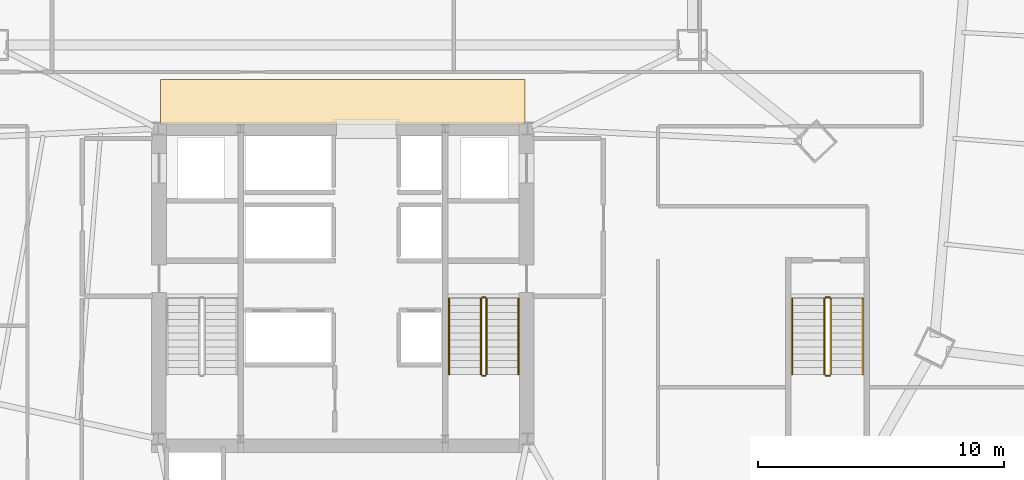
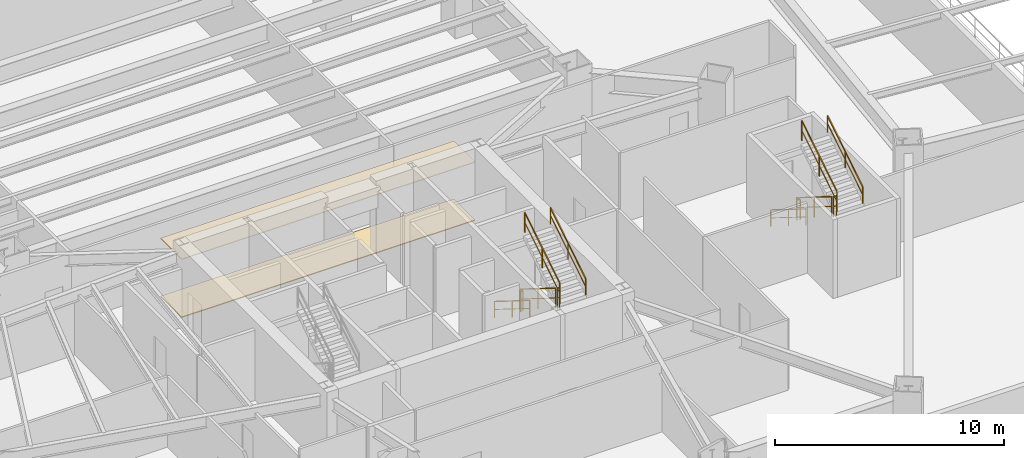
# One storey, part 11 of 12: 12 railings, 2 coverings.
"""IFC4 building model written with IfcOpenShell, lengths in metres."""

from ifc_helpers import new_model, si_unit, direction, frame, origin, origin_2d, place, context, subcontext, project, spatial, polyline, rectangle, outline, extrude, material, layer, layer_set, type_object, element, save


model = new_model("IFC4")

# Units and contexts
model_context = context("Model", 3, precision=1e-05, world=origin(), true_north=direction((0.0, 1.0)))
body_context = subcontext(model_context, "Body", "Model", "MODEL_VIEW")
ifc_project = project(units=[si_unit("LENGTHUNIT", "METRE"), si_unit("AREAUNIT", "SQUARE_METRE"), si_unit("VOLUMEUNIT", "CUBIC_METRE"), si_unit("PLANEANGLEUNIT", "RADIAN"), si_unit("MASSUNIT", "GRAM", prefix="KILO")], contexts=[model_context])

# Site, building, storey
site_placement = place(None, origin())
site = spatial("IfcSite", under=ifc_project, at=site_placement, CompositionType="ELEMENT")
building_placement = place(site_placement, origin())
building = spatial("IfcBuilding", under=site, at=building_placement, Name="Caelisora Broadcast Tower", CompositionType="ELEMENT")
storey_placement = place(building_placement, frame((0.0, 0.0, 18.89990234375)))
storey = spatial("IfcBuildingStorey", under=building, at=storey_placement, Name="L04", CompositionType="ELEMENT", Elevation=18.89990234375)

# Coverings
ifc_material_1 = material(Name="Perforated Mineral-Fibre Acoustic Ceiling Tile", Category="gypsum")
ifc_layer_1 = layer(ifc_material_1, 0.034912109375, Name="Perforated Mineral-Fibre Acoustic Ceiling Tile")
ifc_layer_set_1 = layer_set([ifc_layer_1], Name="Perforated Mineral-Fibre Acoustic Ceiling Tile")
covering_type_1 = type_object("IfcCoveringType", Name="CE-1", PredefinedType="CEILING", material=ifc_layer_set_1)
covering_1_placement = place(storey_placement, frame((0.0, 0.0, 3.10009765625)))
element("IfcCovering", 1, at=covering_1_placement, inside=storey, type_object=covering_type_1, Name="L04 acoustic corridor ceiling CE-1 (N)", PredefinedType="CEILING", context=body_context, shape_type="SweptSolid", body=[
    extrude(outline(polyline([(30.60009765625, 30.14990234375), (45.39990234375, 30.14990234375), (45.39990234375, 32.0), (30.60009765625, 32.0), (30.60009765625, 30.14990234375)])), origin(), (0.0, 0.0, 1.0), 0.034912109375),
])
ifc_material_2 = material(Name="Anti-Static Broadcast Raised Access Floor Panel", Category="steel")
ifc_layer_2 = layer(ifc_material_2, 0.044921875, Name="Anti-Static Broadcast Raised Access Floor Panel")
ifc_layer_set_2 = layer_set([ifc_layer_2], Name="Anti-Static Broadcast Raised Access Floor Panel")
covering_type_2 = type_object("IfcCoveringType", Name="FL-1", PredefinedType="FLOORING", material=ifc_layer_set_2)
covering_2_placement = place(storey_placement, origin())
element("IfcCovering", 2, at=covering_2_placement, inside=storey, type_object=covering_type_2, Name="L04 broadcast raised access floor FL-1 (N)", PredefinedType="FLOORING", context=body_context, shape_type="SweptSolid", body=[
    extrude(outline(polyline([(30.60009765625, 30.14990234375), (45.39990234375, 30.14990234375), (45.39990234375, 32.0), (30.60009765625, 32.0), (30.60009765625, 30.14990234375)])), origin(), (0.0, 0.0, 1.0), 0.045166015625),
])

# Railings
ifc_material_3 = material(Name="Galvanised Steel Safety Guardrail", Category="steel")
ifc_layer_3 = layer(ifc_material_3, 0.048095703125, Name="Galvanised Steel Safety Guardrail")
ifc_layer_set_3 = layer_set([ifc_layer_3], Name="Galvanised Steel Safety Guardrail")
railing_type_1 = type_object("IfcRailingType", Name="GR-1", PredefinedType="GUARDRAIL", material=ifc_layer_set_3)
railing_1_placement = place(storey_placement, frame((43.610107421875, 23.10009765625, 0.175048828125)))
element("IfcRailing", 3, at=railing_1_placement, inside=storey, type_object=railing_type_1, Name="L04 ST-2 stair guard 1", PredefinedType="GUARDRAIL", context=body_context, shape_type="SweptSolid", body=[
    extrude(rectangle(XDim=0.048095703125, YDim=0.048095703125, at=origin_2d()), frame((0.0, 0.0, 1.076171875), z_axis=(0.0, -0.847998304005, 0.529998940003), x_axis=(1.0, 0.0, 0.0)), (0.0, 0.0, 1.0), 3.632080078125),
    extrude(rectangle(XDim=0.03125, YDim=0.03125, at=origin_2d()), frame((0.0, 0.0, 0.550048828125), z_axis=(0.0, -0.847998304005, 0.529998940003), x_axis=(1.0, 0.0, 0.0)), (0.0, 0.0, 1.0), 3.632080078125),
    extrude(rectangle(XDim=0.0419921875, YDim=0.0419921875, at=origin_2d()), origin(), (0.0, 0.0, 1.0), 1.052001953125),
    extrude(rectangle(XDim=0.0419921875, YDim=0.0419921875, at=origin_2d()), frame((0.0, -1.5400390625, 0.96240234375)), (0.0, 0.0, 1.0), 1.052001953125),
    extrude(rectangle(XDim=0.0419921875, YDim=0.0419921875, at=origin_2d()), frame((0.0, -3.080078125, 1.925048828125)), (0.0, 0.0, 1.0), 1.052001953125),
])
railing_2_placement = place(storey_placement, frame((43.659912109375, 19.969970703125, 2.10009765625)))
element("IfcRailing", 4, at=railing_2_placement, inside=storey, type_object=railing_type_1, Name="L04 ST-2 stair guard 2", PredefinedType="GUARDRAIL", context=body_context, shape_type="SweptSolid", body=[
    extrude(rectangle(XDim=0.048095703125, YDim=0.048095703125, at=origin_2d()), frame((0.0, 0.0, 1.076171875), z_axis=(1.0, 0.0, 0.0), x_axis=(0.0, 1.0, 0.0)), (0.0, 0.0, 1.0), 0.1201171875),
    extrude(rectangle(XDim=0.03125, YDim=0.03125, at=origin_2d()), frame((0.0, 0.0, 0.550048828125), z_axis=(1.0, 0.0, 0.0), x_axis=(0.0, 1.0, 0.0)), (0.0, 0.0, 1.0), 0.1201171875),
    extrude(rectangle(XDim=0.0419921875, YDim=0.0419921875, at=origin_2d()), origin(), (0.0, 0.0, 1.0), 1.052001953125),
    extrude(rectangle(XDim=0.0419921875, YDim=0.0419921875, at=origin_2d()), frame((0.1201171875, 0.0, 0.0)), (0.0, 0.0, 1.0), 1.052001953125),
])
railing_3_placement = place(storey_placement, frame((43.830078125, 20.02001953125, 2.275146484375)))
element("IfcRailing", 5, at=railing_3_placement, inside=storey, type_object=railing_type_1, Name="L04 ST-2 stair guard 3", PredefinedType="GUARDRAIL", context=body_context, shape_type="SweptSolid", body=[
    extrude(rectangle(XDim=0.048095703125, YDim=0.048095703125, at=origin_2d()), frame((0.0, 0.0, 1.076171875), z_axis=(0.0, 0.847998304005, 0.529998940003), x_axis=(-1.0, 0.0, 0.0)), (0.0, 0.0, 1.0), 3.632080078125),
    extrude(rectangle(XDim=0.03125, YDim=0.03125, at=origin_2d()), frame((0.0, 0.0, 0.550048828125), z_axis=(0.0, 0.847998304005, 0.529998940003), x_axis=(-1.0, 0.0, 0.0)), (0.0, 0.0, 1.0), 3.632080078125),
    extrude(rectangle(XDim=0.0419921875, YDim=0.0419921875, at=origin_2d()), origin(), (0.0, 0.0, 1.0), 1.052001953125),
    extrude(rectangle(XDim=0.0419921875, YDim=0.0419921875, at=origin_2d()), frame((0.0, 1.5400390625, 0.96240234375)), (0.0, 0.0, 1.0), 1.052001953125),
    extrude(rectangle(XDim=0.0419921875, YDim=0.0419921875, at=origin_2d()), frame((0.0, 3.080078125, 1.925048828125)), (0.0, 0.0, 1.0), 1.052001953125),
])
railing_4_placement = place(storey_placement, frame((43.659912109375, 23.14990234375, 0.0)))
element("IfcRailing", 6, at=railing_4_placement, inside=storey, type_object=railing_type_1, Name="L04 ST-2 stair guard 4", PredefinedType="GUARDRAIL", context=body_context, shape_type="SweptSolid", body=[
    extrude(rectangle(XDim=0.048095703125, YDim=0.048095703125, at=origin_2d()), frame((0.0, 0.0, 1.076171875), z_axis=(1.0, 0.0, 0.0), x_axis=(0.0, 1.0, 0.0)), (0.0, 0.0, 1.0), 0.1201171875),
    extrude(rectangle(XDim=0.03125, YDim=0.03125, at=origin_2d()), frame((0.0, 0.0, 0.550048828125), z_axis=(1.0, 0.0, 0.0), x_axis=(0.0, 1.0, 0.0)), (0.0, 0.0, 1.0), 0.1201171875),
    extrude(rectangle(XDim=0.0419921875, YDim=0.0419921875, at=origin_2d()), origin(), (0.0, 0.0, 1.0), 1.052001953125),
    extrude(rectangle(XDim=0.0419921875, YDim=0.0419921875, at=origin_2d()), frame((0.1201171875, 0.0, 0.0)), (0.0, 0.0, 1.0), 1.052001953125),
])
railing_5_placement = place(storey_placement, frame((57.550048828125, 23.10009765625, 0.175048828125)))
element("IfcRailing", 7, at=railing_5_placement, inside=storey, type_object=railing_type_1, Name="L04 ST-3 stair guard 1", PredefinedType="GUARDRAIL", context=body_context, shape_type="SweptSolid", body=[
    extrude(rectangle(XDim=0.048095703125, YDim=0.048095703125, at=origin_2d()), frame((0.0, 0.0, 1.076171875), z_axis=(0.0, -0.847998304005, 0.529998940003), x_axis=(1.0, 0.0, 0.0)), (0.0, 0.0, 1.0), 3.632080078125),
    extrude(rectangle(XDim=0.03125, YDim=0.03125, at=origin_2d()), frame((0.0, 0.0, 0.550048828125), z_axis=(0.0, -0.847998304005, 0.529998940003), x_axis=(1.0, 0.0, 0.0)), (0.0, 0.0, 1.0), 3.632080078125),
    extrude(rectangle(XDim=0.0419921875, YDim=0.0419921875, at=origin_2d()), origin(), (0.0, 0.0, 1.0), 1.052001953125),
    extrude(rectangle(XDim=0.0419921875, YDim=0.0419921875, at=origin_2d()), frame((0.0, -1.5400390625, 0.96240234375)), (0.0, 0.0, 1.0), 1.052001953125),
    extrude(rectangle(XDim=0.0419921875, YDim=0.0419921875, at=origin_2d()), frame((0.0, -3.080078125, 1.925048828125)), (0.0, 0.0, 1.0), 1.052001953125),
])
railing_6_placement = place(storey_placement, frame((57.60009765625, 19.969970703125, 2.10009765625)))
element("IfcRailing", 8, at=railing_6_placement, inside=storey, type_object=railing_type_1, Name="L04 ST-3 stair guard 2", PredefinedType="GUARDRAIL", context=body_context, shape_type="SweptSolid", body=[
    extrude(rectangle(XDim=0.048095703125, YDim=0.048095703125, at=origin_2d()), frame((0.0, 0.0, 1.076171875), z_axis=(1.0, 0.0, 0.0), x_axis=(0.0, 1.0, 0.0)), (0.0, 0.0, 1.0), 0.159912109375),
    extrude(rectangle(XDim=0.03125, YDim=0.03125, at=origin_2d()), frame((0.0, 0.0, 0.550048828125), z_axis=(1.0, 0.0, 0.0), x_axis=(0.0, 1.0, 0.0)), (0.0, 0.0, 1.0), 0.159912109375),
    extrude(rectangle(XDim=0.0419921875, YDim=0.0419921875, at=origin_2d()), origin(), (0.0, 0.0, 1.0), 1.052001953125),
    extrude(rectangle(XDim=0.0419921875, YDim=0.0419921875, at=origin_2d()), frame((0.159912109375, 0.0, 0.0)), (0.0, 0.0, 1.0), 1.052001953125),
])
railing_7_placement = place(storey_placement, frame((57.81005859375, 20.02001953125, 2.275146484375)))
element("IfcRailing", 9, at=railing_7_placement, inside=storey, type_object=railing_type_1, Name="L04 ST-3 stair guard 3", PredefinedType="GUARDRAIL", context=body_context, shape_type="SweptSolid", body=[
    extrude(rectangle(XDim=0.048095703125, YDim=0.048095703125, at=origin_2d()), frame((0.0, 0.0, 1.076171875), z_axis=(0.0, 0.847998304005, 0.529998940003), x_axis=(-1.0, 0.0, 0.0)), (0.0, 0.0, 1.0), 3.632080078125),
    extrude(rectangle(XDim=0.03125, YDim=0.03125, at=origin_2d()), frame((0.0, 0.0, 0.550048828125), z_axis=(0.0, 0.847998304005, 0.529998940003), x_axis=(-1.0, 0.0, 0.0)), (0.0, 0.0, 1.0), 3.632080078125),
    extrude(rectangle(XDim=0.0419921875, YDim=0.0419921875, at=origin_2d()), origin(), (0.0, 0.0, 1.0), 1.052001953125),
    extrude(rectangle(XDim=0.0419921875, YDim=0.0419921875, at=origin_2d()), frame((0.0, 1.5400390625, 0.96240234375)), (0.0, 0.0, 1.0), 1.052001953125),
    extrude(rectangle(XDim=0.0419921875, YDim=0.0419921875, at=origin_2d()), frame((0.0, 3.080078125, 1.925048828125)), (0.0, 0.0, 1.0), 1.052001953125),
])
railing_8_placement = place(storey_placement, frame((57.60009765625, 23.14990234375, 0.0)))
element("IfcRailing", 10, at=railing_8_placement, inside=storey, type_object=railing_type_1, Name="L04 ST-3 stair guard 4", PredefinedType="GUARDRAIL", context=body_context, shape_type="SweptSolid", body=[
    extrude(rectangle(XDim=0.048095703125, YDim=0.048095703125, at=origin_2d()), frame((0.0, 0.0, 1.076171875), z_axis=(1.0, 0.0, 0.0), x_axis=(0.0, 1.0, 0.0)), (0.0, 0.0, 1.0), 0.159912109375),
    extrude(rectangle(XDim=0.03125, YDim=0.03125, at=origin_2d()), frame((0.0, 0.0, 0.550048828125), z_axis=(1.0, 0.0, 0.0), x_axis=(0.0, 1.0, 0.0)), (0.0, 0.0, 1.0), 0.159912109375),
    extrude(rectangle(XDim=0.0419921875, YDim=0.0419921875, at=origin_2d()), origin(), (0.0, 0.0, 1.0), 1.052001953125),
    extrude(rectangle(XDim=0.0419921875, YDim=0.0419921875, at=origin_2d()), frame((0.159912109375, 0.0, 0.0)), (0.0, 0.0, 1.0), 1.052001953125),
])
ifc_material_4 = material(Name="Stainless Steel Grade 316 Tubular Handrail", Category="steel")
ifc_layer_4 = layer(ifc_material_4, 0.048095703125, Name="Stainless Steel Grade 316 Tubular Handrail")
ifc_layer_set_4 = layer_set([ifc_layer_4], Name="Stainless Steel Grade 316 Tubular Handrail")
railing_type_2 = type_object("IfcRailingType", Name="HR-1", PredefinedType="HANDRAIL", material=ifc_layer_set_4)
railing_9_placement = place(storey_placement, frame((42.31005859375, 23.10009765625, 0.175048828125)))
element("IfcRailing", 11, at=railing_9_placement, inside=storey, type_object=railing_type_2, Name="L04 ST-2 stair handrail 1", PredefinedType="HANDRAIL", context=body_context, shape_type="SweptSolid", body=[
    extrude(rectangle(XDim=0.048095703125, YDim=0.048095703125, at=origin_2d()), frame((0.0, 0.0, 0.8759765625), z_axis=(0.0, -0.847998304005, 0.529998940003), x_axis=(1.0, 0.0, 0.0)), (0.0, 0.0, 1.0), 3.632080078125),
    extrude(rectangle(XDim=0.03125, YDim=0.03125, at=origin_2d()), frame((0.0, 0.0, 0.449951171875), z_axis=(0.0, -0.847998304005, 0.529998940003), x_axis=(1.0, 0.0, 0.0)), (0.0, 0.0, 1.0), 3.632080078125),
    extrude(rectangle(XDim=0.0419921875, YDim=0.0419921875, at=origin_2d()), origin(), (0.0, 0.0, 1.0), 0.851806640625),
    extrude(rectangle(XDim=0.0419921875, YDim=0.0419921875, at=origin_2d()), frame((0.0, -1.5400390625, 0.96240234375)), (0.0, 0.0, 1.0), 0.851806640625),
    extrude(rectangle(XDim=0.0419921875, YDim=0.0419921875, at=origin_2d()), frame((0.0, -3.080078125, 1.925048828125)), (0.0, 0.0, 1.0), 0.851806640625),
])
railing_10_placement = place(storey_placement, frame((45.1298828125, 20.02001953125, 2.275146484375)))
element("IfcRailing", 12, at=railing_10_placement, inside=storey, type_object=railing_type_2, Name="L04 ST-2 stair handrail 2", PredefinedType="HANDRAIL", context=body_context, shape_type="SweptSolid", body=[
    extrude(rectangle(XDim=0.048095703125, YDim=0.048095703125, at=origin_2d()), frame((0.0, 0.0, 0.8759765625), z_axis=(0.0, 0.847998304005, 0.529998940003), x_axis=(-1.0, 0.0, 0.0)), (0.0, 0.0, 1.0), 3.632080078125),
    extrude(rectangle(XDim=0.03125, YDim=0.03125, at=origin_2d()), frame((0.0, 0.0, 0.449951171875), z_axis=(0.0, 0.847998304005, 0.529998940003), x_axis=(-1.0, 0.0, 0.0)), (0.0, 0.0, 1.0), 3.632080078125),
    extrude(rectangle(XDim=0.0419921875, YDim=0.0419921875, at=origin_2d()), origin(), (0.0, 0.0, 1.0), 0.851806640625),
    extrude(rectangle(XDim=0.0419921875, YDim=0.0419921875, at=origin_2d()), frame((0.0, 1.5400390625, 0.96240234375)), (0.0, 0.0, 1.0), 0.851806640625),
    extrude(rectangle(XDim=0.0419921875, YDim=0.0419921875, at=origin_2d()), frame((0.0, 3.080078125, 1.925048828125)), (0.0, 0.0, 1.0), 0.851806640625),
])
railing_11_placement = place(storey_placement, frame((56.25, 23.10009765625, 0.175048828125)))
element("IfcRailing", 13, at=railing_11_placement, inside=storey, type_object=railing_type_2, Name="L04 ST-3 stair handrail 1", PredefinedType="HANDRAIL", context=body_context, shape_type="SweptSolid", body=[
    extrude(rectangle(XDim=0.048095703125, YDim=0.048095703125, at=origin_2d()), frame((0.0, 0.0, 0.8759765625), z_axis=(0.0, -0.847998304005, 0.529998940003), x_axis=(1.0, 0.0, 0.0)), (0.0, 0.0, 1.0), 3.632080078125),
    extrude(rectangle(XDim=0.03125, YDim=0.03125, at=origin_2d()), frame((0.0, 0.0, 0.449951171875), z_axis=(0.0, -0.847998304005, 0.529998940003), x_axis=(1.0, 0.0, 0.0)), (0.0, 0.0, 1.0), 3.632080078125),
    extrude(rectangle(XDim=0.0419921875, YDim=0.0419921875, at=origin_2d()), origin(), (0.0, 0.0, 1.0), 0.851806640625),
    extrude(rectangle(XDim=0.0419921875, YDim=0.0419921875, at=origin_2d()), frame((0.0, -1.5400390625, 0.96240234375)), (0.0, 0.0, 1.0), 0.851806640625),
    extrude(rectangle(XDim=0.0419921875, YDim=0.0419921875, at=origin_2d()), frame((0.0, -3.080078125, 1.925048828125)), (0.0, 0.0, 1.0), 0.851806640625),
])
railing_12_placement = place(storey_placement, frame((59.110107421875, 20.02001953125, 2.275146484375)))
element("IfcRailing", 14, at=railing_12_placement, inside=storey, type_object=railing_type_2, Name="L04 ST-3 stair handrail 2", PredefinedType="HANDRAIL", context=body_context, shape_type="SweptSolid", body=[
    extrude(rectangle(XDim=0.048095703125, YDim=0.048095703125, at=origin_2d()), frame((0.0, 0.0, 0.8759765625), z_axis=(0.0, 0.847998304005, 0.529998940003), x_axis=(-1.0, 0.0, 0.0)), (0.0, 0.0, 1.0), 3.632080078125),
    extrude(rectangle(XDim=0.03125, YDim=0.03125, at=origin_2d()), frame((0.0, 0.0, 0.449951171875), z_axis=(0.0, 0.847998304005, 0.529998940003), x_axis=(-1.0, 0.0, 0.0)), (0.0, 0.0, 1.0), 3.632080078125),
    extrude(rectangle(XDim=0.0419921875, YDim=0.0419921875, at=origin_2d()), origin(), (0.0, 0.0, 1.0), 0.851806640625),
    extrude(rectangle(XDim=0.0419921875, YDim=0.0419921875, at=origin_2d()), frame((0.0, 1.5400390625, 0.96240234375)), (0.0, 0.0, 1.0), 0.851806640625),
    extrude(rectangle(XDim=0.0419921875, YDim=0.0419921875, at=origin_2d()), frame((0.0, 3.080078125, 1.925048828125)), (0.0, 0.0, 1.0), 0.851806640625),
])

save(model, "model.ifc")
